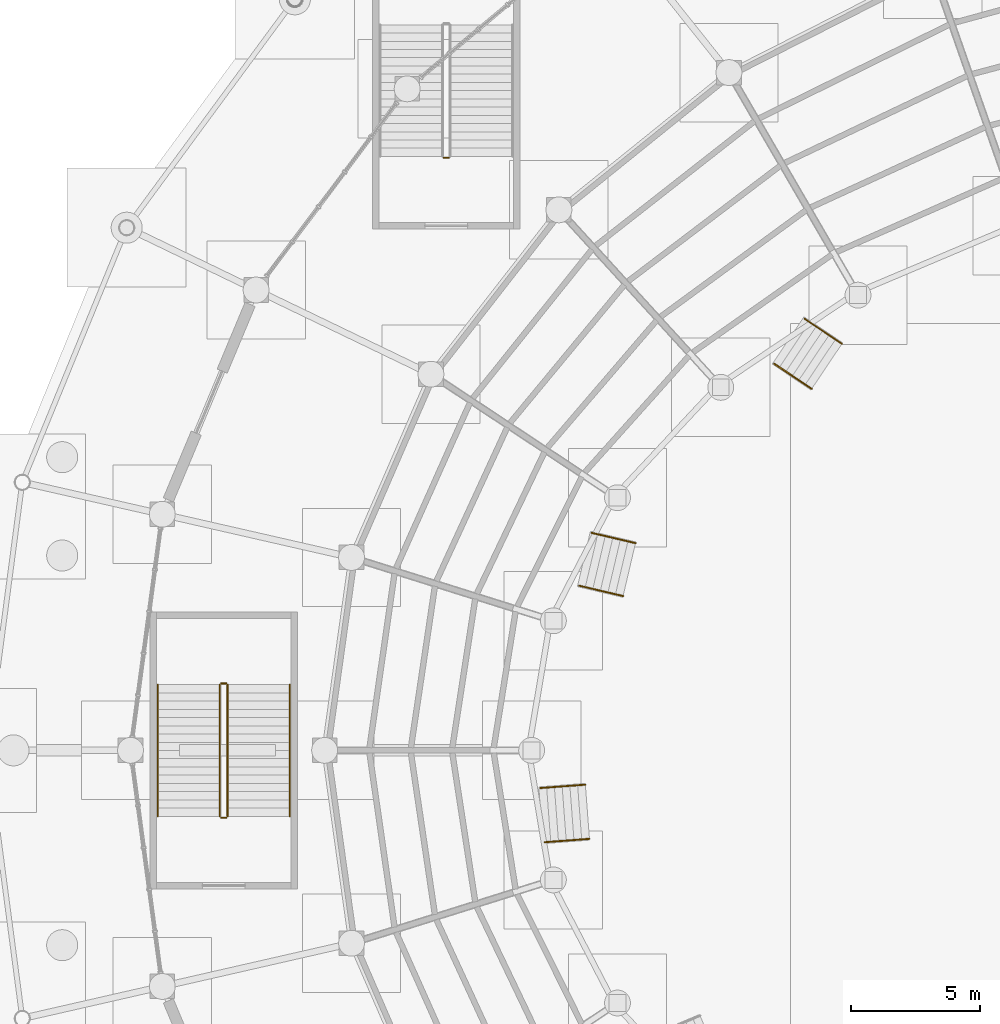
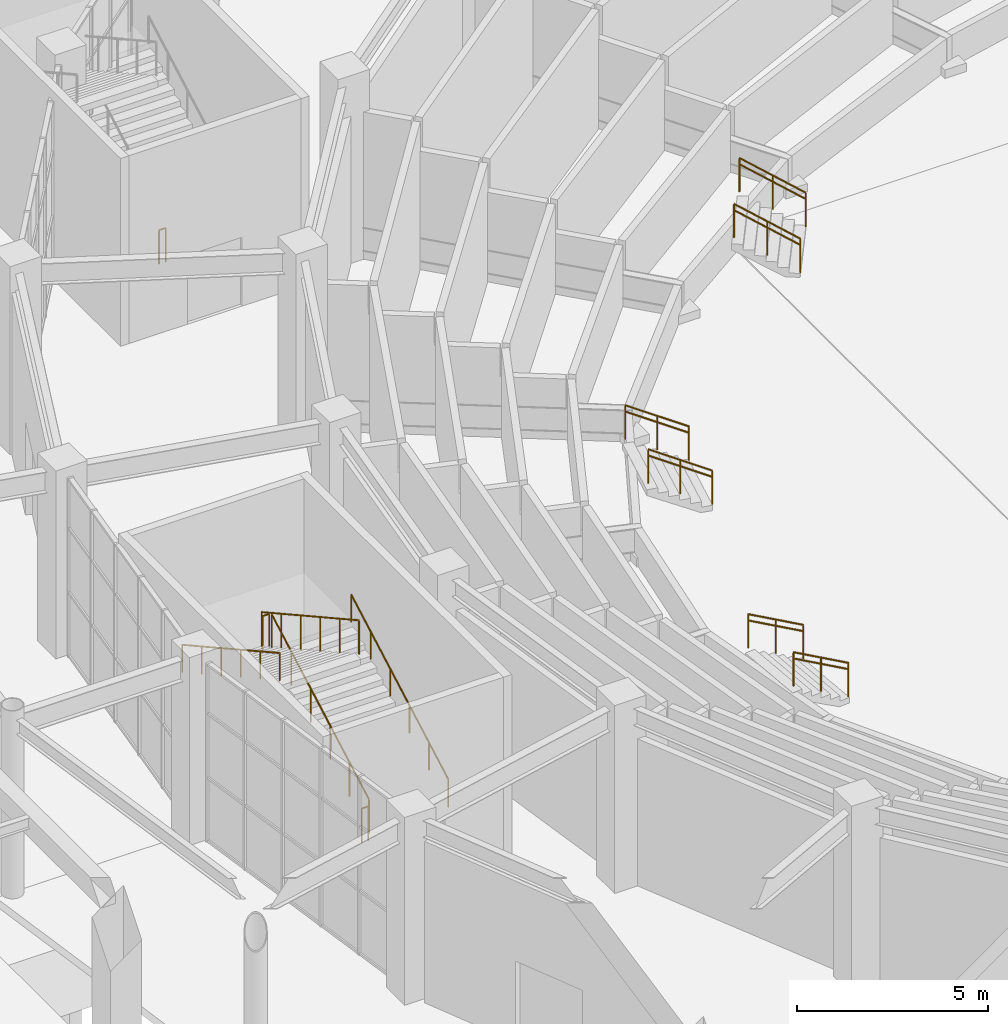
# One storey, part 109 of 121: 19 railings.
"""IFC4 building model written with IfcOpenShell, lengths in metres."""

from ifc_helpers import new_model, si_unit, direction, frame, origin, origin_2d, place, context, subcontext, project, spatial, circle, extrude, material, type_object, element, save


model = new_model("IFC4")

# Units and contexts
model_context = context("Model", 3, precision=1e-05, world=origin(), true_north=direction((0.0, 1.0)))
body_context = subcontext(model_context, "Body", "Model", "MODEL_VIEW")
ifc_project = project(units=[si_unit("LENGTHUNIT", "METRE"), si_unit("AREAUNIT", "SQUARE_METRE"), si_unit("VOLUMEUNIT", "CUBIC_METRE"), si_unit("PLANEANGLEUNIT", "RADIAN"), si_unit("MASSUNIT", "GRAM", prefix="KILO")], contexts=[model_context])

# Site, building, storey
site_placement = place(None, origin())
site = spatial("IfcSite", under=ifc_project, at=site_placement, CompositionType="ELEMENT")
building_placement = place(site_placement, origin())
building = spatial("IfcBuilding", under=site, at=building_placement, Name="Cuetzalor Civic Arena", CompositionType="ELEMENT")
storey_placement = place(building_placement, origin())
storey = spatial("IfcBuildingStorey", under=building, at=storey_placement, Name="L00", CompositionType="ELEMENT", Elevation=0.0)

# Railings
ifc_material_1 = material(Name="Reseda-green Steel S355 and laminated glass guard", Category="steel")
railing_type_1 = type_object("IfcRailingType", Name="BowlSightlineGuard_1100", PredefinedType="BALUSTRADE", material=ifc_material_1)
for number, where, name in (
    (1, (-22.68017578125, 13.968017578125, 0.17138671875), "Vomitory Stair VST-06 Guard L"),
    (2, (-21.50927734375, 15.711181640625, 0.17138671875), "Vomitory Stair VST-06 Guard R"),
):
    element("IfcRailing", number, at=place(storey_placement, frame(where)), inside=storey, type_object=railing_type_1, Name=name, PredefinedType="BALUSTRADE", context=body_context, shape_type="SweptSolid", body=[
        extrude(circle(Radius=0.02392578125, at=origin_2d()), frame((0.0, 0.0, 1.076171875), z_axis=(-0.714582912887, 0.480012254194, 0.50888063083), x_axis=(-0.55761102439, -0.830102370481, 0.0)), (0.0, 0.0, 1.0), 2.021240234375),
        extrude(circle(Radius=0.02099609375, at=origin_2d()), origin(), (0.0, 0.0, 1.0), 1.052001953125),
        extrude(circle(Radius=0.02099609375, at=origin_2d()), frame((-0.72216796875, 0.485107421875, 0.51416015625)), (0.0, 0.0, 1.0), 1.052001953125),
        extrude(circle(Radius=0.02099609375, at=origin_2d()), frame((-1.4443359375, 0.97021484375, 1.028564453125)), (0.0, 0.0, 1.0), 1.052001953125),
    ])
railing_1_placement = place(storey_placement, frame((-29.967529296875, 5.96435546875, 0.17138671875)))
element("IfcRailing", 3, at=railing_1_placement, inside=storey, type_object=railing_type_1, Name="Vomitory Stair VST-07 Guard L", PredefinedType="BALUSTRADE", context=body_context, shape_type="SweptSolid", body=[
    extrude(circle(Radius=0.02392578125, at=origin_2d()), frame((0.0, 0.0, 1.076171875), z_axis=(-0.838058208316, 0.196863363533, 0.508825368444), x_axis=(-0.228679612853, -0.973501738399, 0.0)), (0.0, 0.0, 1.0), 2.021484375),
    extrude(circle(Radius=0.02099609375, at=origin_2d()), origin(), (0.0, 0.0, 1.0), 1.052001953125),
    extrude(circle(Radius=0.02099609375, at=origin_2d()), frame((-0.84716796875, 0.198974609375, 0.51416015625)), (0.0, 0.0, 1.0), 1.052001953125),
    extrude(circle(Radius=0.02099609375, at=origin_2d()), frame((-1.694091796875, 0.39794921875, 1.028564453125)), (0.0, 0.0, 1.0), 1.052001953125),
])
railing_2_placement = place(storey_placement, frame((-29.4873046875, 8.0087890625, 0.17138671875)))
element("IfcRailing", 4, at=railing_2_placement, inside=storey, type_object=railing_type_1, Name="Vomitory Stair VST-07 Guard R", PredefinedType="BALUSTRADE", context=body_context, shape_type="SweptSolid", body=[
    extrude(circle(Radius=0.02392578125, at=origin_2d()), frame((0.0, 0.0, 1.076171875), z_axis=(-0.838022253139, 0.196883290951, 0.508876874095), x_axis=(-0.228710849306, -0.973494400297, 0.0)), (0.0, 0.0, 1.0), 2.021240234375),
    extrude(circle(Radius=0.02099609375, at=origin_2d()), origin(), (0.0, 0.0, 1.0), 1.052001953125),
    extrude(circle(Radius=0.02099609375, at=origin_2d()), frame((-0.846923828125, 0.198974609375, 0.51416015625)), (0.0, 0.0, 1.0), 1.052001953125),
    extrude(circle(Radius=0.02099609375, at=origin_2d()), frame((-1.69384765625, 0.39794921875, 1.028564453125)), (0.0, 0.0, 1.0), 1.052001953125),
])
for number, where, name in (
    (5, (-31.265869140625, -3.419189453125, 0.17138671875), "Vomitory Stair VST-08 Guard L"),
    (6, (-31.42431640625, -1.3251953125, 0.17138671875), "Vomitory Stair VST-08 Guard R"),
):
    element("IfcRailing", number, at=place(storey_placement, frame(where)), inside=storey, type_object=railing_type_1, Name=name, PredefinedType="BALUSTRADE", context=body_context, shape_type="SweptSolid", body=[
        extrude(circle(Radius=0.02392578125, at=origin_2d()), frame((0.0, 0.0, 1.076171875), z_axis=(-0.858371745723, -0.06486710209, 0.508910802805), x_axis=(0.075355077729, -0.997156764135, 0.0)), (0.0, 0.0, 1.0), 2.02099609375),
        extrude(circle(Radius=0.02099609375, at=origin_2d()), origin(), (0.0, 0.0, 1.0), 1.052001953125),
        extrude(circle(Radius=0.02099609375, at=origin_2d()), frame((-0.867431640625, -0.0654296875, 0.51416015625)), (0.0, 0.0, 1.0), 1.052001953125),
        extrude(circle(Radius=0.02099609375, at=origin_2d()), frame((-1.73486328125, -0.131103515625, 1.028564453125)), (0.0, 0.0, 1.0), 1.052001953125),
    ])
ifc_material_2 = material(Name="Reseda-green architectural Steel S355 balustrade", Category="steel")
railing_type_2 = type_object("IfcRailingType", Name="InteriorVoidBalustrade_1100", PredefinedType="BALUSTRADE", material=ifc_material_2)
railing_3_placement = place(storey_placement, frame((-36.699951171875, 22.89990234375, 0.0)))
element("IfcRailing", 7, at=railing_3_placement, inside=storey, type_object=railing_type_2, Name="L00 ST-04 stair guard 4", PredefinedType="BALUSTRADE", context=body_context, shape_type="SweptSolid", body=[
    extrude(circle(Radius=0.02392578125, at=origin_2d()), frame((0.0, 0.0, 1.0810546875), z_axis=(-1.0, 0.0, 0.0), x_axis=(0.0, -1.0, 0.0)), (0.0, 0.0, 1.0), 0.199951171875),
    extrude(circle(Radius=0.02099609375, at=origin_2d()), origin(), (0.0, 0.0, 1.0), 1.056884765625),
    extrude(circle(Radius=0.02099609375, at=origin_2d()), frame((-0.199951171875, 0.0, 0.0)), (0.0, 0.0, 1.0), 1.056884765625),
])
railing_4_placement = place(storey_placement, frame((-45.25, -2.550048828125, 0.176513671875)))
element("IfcRailing", 8, at=railing_4_placement, inside=storey, type_object=railing_type_2, Name="L00 ST-05 stair guard 1", PredefinedType="BALUSTRADE", context=body_context, shape_type="SweptSolid", body=[
    extrude(circle(Radius=0.02392578125, at=origin_2d()), frame((0.0, 0.0, 1.0810546875), z_axis=(0.0, 0.874394655587, 0.485215401941), x_axis=(-1.0, 0.0, 0.0)), (0.0, 0.0, 1.0), 5.819091796875),
    extrude(circle(Radius=0.02099609375, at=origin_2d()), origin(), (0.0, 0.0, 1.0), 1.056884765625),
    extrude(circle(Radius=0.02099609375, at=origin_2d()), frame((0.0, 1.017578125, 0.564697265625)), (0.0, 0.0, 1.0), 1.056884765625),
    extrude(circle(Radius=0.02099609375, at=origin_2d()), frame((0.0, 2.03515625, 1.12939453125)), (0.0, 0.0, 1.0), 1.056884765625),
    extrude(circle(Radius=0.02099609375, at=origin_2d()), frame((0.0, 3.052978515625, 1.694091796875)), (0.0, 0.0, 1.0), 1.056884765625),
    extrude(circle(Radius=0.02099609375, at=origin_2d()), frame((0.0, 4.070556640625, 2.2587890625)), (0.0, 0.0, 1.0), 1.056884765625),
    extrude(circle(Radius=0.02099609375, at=origin_2d()), frame((0.0, 5.088134765625, 2.823486328125)), (0.0, 0.0, 1.0), 1.056884765625),
])
railing_5_placement = place(storey_placement, frame((-45.300048828125, 2.587890625, 3.0)))
element("IfcRailing", 9, at=railing_5_placement, inside=storey, type_object=railing_type_2, Name="L00 ST-05 stair guard 2", PredefinedType="BALUSTRADE", context=body_context, shape_type="SweptSolid", body=[
    extrude(circle(Radius=0.02392578125, at=origin_2d()), frame((0.0, 0.0, 1.0810546875), z_axis=(-1.0, 0.0, 0.0), x_axis=(0.0, -1.0, 0.0)), (0.0, 0.0, 1.0), 0.199951171875),
    extrude(circle(Radius=0.02099609375, at=origin_2d()), origin(), (0.0, 0.0, 1.0), 1.056884765625),
    extrude(circle(Radius=0.02099609375, at=origin_2d()), frame((-0.199951171875, 0.0, 0.0)), (0.0, 0.0, 1.0), 1.056884765625),
])
railing_6_placement = place(storey_placement, frame((-45.550048828125, 2.5380859375, 3.176513671875)))
element("IfcRailing", 10, at=railing_6_placement, inside=storey, type_object=railing_type_2, Name="L00 ST-05 stair guard 3", PredefinedType="BALUSTRADE", context=body_context, shape_type="SweptSolid", body=[
    extrude(circle(Radius=0.02392578125, at=origin_2d()), frame((0.0, 0.0, 1.0810546875), z_axis=(0.0, -0.874394655587, 0.485215401941), x_axis=(1.0, 0.0, 0.0)), (0.0, 0.0, 1.0), 5.819091796875),
    extrude(circle(Radius=0.02099609375, at=origin_2d()), origin(), (0.0, 0.0, 1.0), 1.056884765625),
    extrude(circle(Radius=0.02099609375, at=origin_2d()), frame((0.0, -1.017578125, 0.564697265625)), (0.0, 0.0, 1.0), 1.056884765625),
    extrude(circle(Radius=0.02099609375, at=origin_2d()), frame((0.0, -2.03515625, 1.12939453125)), (0.0, 0.0, 1.0), 1.056884765625),
    extrude(circle(Radius=0.02099609375, at=origin_2d()), frame((0.0, -3.052978515625, 1.694091796875)), (0.0, 0.0, 1.0), 1.056884765625),
    extrude(circle(Radius=0.02099609375, at=origin_2d()), frame((0.0, -4.070556640625, 2.2587890625)), (0.0, 0.0, 1.0), 1.056884765625),
    extrude(circle(Radius=0.02099609375, at=origin_2d()), frame((0.0, -5.088134765625, 2.823486328125)), (0.0, 0.0, 1.0), 1.056884765625),
])
railing_7_placement = place(storey_placement, frame((-45.300048828125, -2.60009765625, 0.0)))
element("IfcRailing", 11, at=railing_7_placement, inside=storey, type_object=railing_type_2, Name="L00 ST-05 stair guard 4", PredefinedType="BALUSTRADE", context=body_context, shape_type="SweptSolid", body=[
    extrude(circle(Radius=0.02392578125, at=origin_2d()), frame((0.0, 0.0, 1.0810546875), z_axis=(-1.0, 0.0, 0.0), x_axis=(0.0, -1.0, 0.0)), (0.0, 0.0, 1.0), 0.199951171875),
    extrude(circle(Radius=0.02099609375, at=origin_2d()), origin(), (0.0, 0.0, 1.0), 1.056884765625),
    extrude(circle(Radius=0.02099609375, at=origin_2d()), frame((-0.199951171875, 0.0, 0.0)), (0.0, 0.0, 1.0), 1.056884765625),
])
ifc_material_3 = material(Name="Galvanised steel S355", Category="steel")
railing_type_3 = type_object("IfcRailingType", Name="StairPitchHandrail_900", PredefinedType="HANDRAIL", material=ifc_material_3)
railing_8_placement = place(storey_placement, frame((-42.85009765625, -2.550048828125, 0.176513671875)))
element("IfcRailing", 12, at=railing_8_placement, inside=storey, type_object=railing_type_3, Name="L00 ST-05 stair handrail 1", PredefinedType="HANDRAIL", context=body_context, shape_type="SweptSolid", body=[
    extrude(circle(Radius=0.02392578125, at=origin_2d()), frame((0.0, 0.0, 0.8759765625), z_axis=(0.0, 0.874394655587, 0.485215401941), x_axis=(-1.0, 0.0, 0.0)), (0.0, 0.0, 1.0), 5.819091796875),
    extrude(circle(Radius=0.02099609375, at=origin_2d()), origin(), (0.0, 0.0, 1.0), 0.851806640625),
    extrude(circle(Radius=0.02099609375, at=origin_2d()), frame((0.0, 1.017578125, 0.564697265625)), (0.0, 0.0, 1.0), 0.851806640625),
    extrude(circle(Radius=0.02099609375, at=origin_2d()), frame((0.0, 2.03515625, 1.12939453125)), (0.0, 0.0, 1.0), 0.851806640625),
    extrude(circle(Radius=0.02099609375, at=origin_2d()), frame((0.0, 3.052978515625, 1.694091796875)), (0.0, 0.0, 1.0), 0.851806640625),
    extrude(circle(Radius=0.02099609375, at=origin_2d()), frame((0.0, 4.070556640625, 2.2587890625)), (0.0, 0.0, 1.0), 0.851806640625),
    extrude(circle(Radius=0.02099609375, at=origin_2d()), frame((0.0, 5.088134765625, 2.823486328125)), (0.0, 0.0, 1.0), 0.851806640625),
])
railing_9_placement = place(storey_placement, frame((-47.949951171875, 2.5380859375, 3.176513671875)))
element("IfcRailing", 13, at=railing_9_placement, inside=storey, type_object=railing_type_3, Name="L00 ST-05 stair handrail 2", PredefinedType="HANDRAIL", context=body_context, shape_type="SweptSolid", body=[
    extrude(circle(Radius=0.02392578125, at=origin_2d()), frame((0.0, 0.0, 0.8759765625), z_axis=(0.0, -0.874394655587, 0.485215401941), x_axis=(1.0, 0.0, 0.0)), (0.0, 0.0, 1.0), 5.819091796875),
    extrude(circle(Radius=0.02099609375, at=origin_2d()), origin(), (0.0, 0.0, 1.0), 0.851806640625),
    extrude(circle(Radius=0.02099609375, at=origin_2d()), frame((0.0, -1.017578125, 0.564697265625)), (0.0, 0.0, 1.0), 0.851806640625),
    extrude(circle(Radius=0.02099609375, at=origin_2d()), frame((0.0, -2.03515625, 1.12939453125)), (0.0, 0.0, 1.0), 0.851806640625),
    extrude(circle(Radius=0.02099609375, at=origin_2d()), frame((0.0, -3.052978515625, 1.694091796875)), (0.0, 0.0, 1.0), 0.851806640625),
    extrude(circle(Radius=0.02099609375, at=origin_2d()), frame((0.0, -4.070556640625, 2.2587890625)), (0.0, 0.0, 1.0), 0.851806640625),
    extrude(circle(Radius=0.02099609375, at=origin_2d()), frame((0.0, -5.088134765625, 2.823486328125)), (0.0, 0.0, 1.0), 0.851806640625),
])
for number, where, name in (
    (14, (-22.68017578125, 13.968017578125, 0.17138671875), "Vomitory Stair VST-06 Handrail L"),
    (15, (-21.50927734375, 15.711181640625, 0.17138671875), "Vomitory Stair VST-06 Handrail R"),
):
    element("IfcRailing", number, at=place(storey_placement, frame(where)), inside=storey, type_object=railing_type_3, Name=name, PredefinedType="HANDRAIL", context=body_context, shape_type="SweptSolid", body=[
        extrude(circle(Radius=0.02392578125, at=origin_2d()), frame((0.0, 0.0, 0.8759765625), z_axis=(-0.714582912887, 0.480012254194, 0.50888063083), x_axis=(-0.55761102439, -0.830102370481, 0.0)), (0.0, 0.0, 1.0), 2.021240234375),
        extrude(circle(Radius=0.02099609375, at=origin_2d()), origin(), (0.0, 0.0, 1.0), 0.851806640625),
        extrude(circle(Radius=0.02099609375, at=origin_2d()), frame((-0.72216796875, 0.485107421875, 0.51416015625)), (0.0, 0.0, 1.0), 0.851806640625),
        extrude(circle(Radius=0.02099609375, at=origin_2d()), frame((-1.4443359375, 0.97021484375, 1.028564453125)), (0.0, 0.0, 1.0), 0.851806640625),
    ])
railing_10_placement = place(storey_placement, frame((-29.967529296875, 5.96435546875, 0.17138671875)))
element("IfcRailing", 16, at=railing_10_placement, inside=storey, type_object=railing_type_3, Name="Vomitory Stair VST-07 Handrail L", PredefinedType="HANDRAIL", context=body_context, shape_type="SweptSolid", body=[
    extrude(circle(Radius=0.02392578125, at=origin_2d()), frame((0.0, 0.0, 0.8759765625), z_axis=(-0.838058208316, 0.196863363533, 0.508825368444), x_axis=(-0.228679612853, -0.973501738399, 0.0)), (0.0, 0.0, 1.0), 2.021484375),
    extrude(circle(Radius=0.02099609375, at=origin_2d()), origin(), (0.0, 0.0, 1.0), 0.851806640625),
    extrude(circle(Radius=0.02099609375, at=origin_2d()), frame((-0.84716796875, 0.198974609375, 0.51416015625)), (0.0, 0.0, 1.0), 0.851806640625),
    extrude(circle(Radius=0.02099609375, at=origin_2d()), frame((-1.694091796875, 0.39794921875, 1.028564453125)), (0.0, 0.0, 1.0), 0.851806640625),
])
railing_11_placement = place(storey_placement, frame((-29.4873046875, 8.0087890625, 0.17138671875)))
element("IfcRailing", 17, at=railing_11_placement, inside=storey, type_object=railing_type_3, Name="Vomitory Stair VST-07 Handrail R", PredefinedType="HANDRAIL", context=body_context, shape_type="SweptSolid", body=[
    extrude(circle(Radius=0.02392578125, at=origin_2d()), frame((0.0, 0.0, 0.8759765625), z_axis=(-0.838022253139, 0.196883290951, 0.508876874095), x_axis=(-0.228710849306, -0.973494400297, 0.0)), (0.0, 0.0, 1.0), 2.021240234375),
    extrude(circle(Radius=0.02099609375, at=origin_2d()), origin(), (0.0, 0.0, 1.0), 0.851806640625),
    extrude(circle(Radius=0.02099609375, at=origin_2d()), frame((-0.846923828125, 0.198974609375, 0.51416015625)), (0.0, 0.0, 1.0), 0.851806640625),
    extrude(circle(Radius=0.02099609375, at=origin_2d()), frame((-1.69384765625, 0.39794921875, 1.028564453125)), (0.0, 0.0, 1.0), 0.851806640625),
])
for number, where, name in (
    (18, (-31.265869140625, -3.419189453125, 0.17138671875), "Vomitory Stair VST-08 Handrail L"),
    (19, (-31.42431640625, -1.3251953125, 0.17138671875), "Vomitory Stair VST-08 Handrail R"),
):
    element("IfcRailing", number, at=place(storey_placement, frame(where)), inside=storey, type_object=railing_type_3, Name=name, PredefinedType="HANDRAIL", context=body_context, shape_type="SweptSolid", body=[
        extrude(circle(Radius=0.02392578125, at=origin_2d()), frame((0.0, 0.0, 0.8759765625), z_axis=(-0.858371745723, -0.06486710209, 0.508910802805), x_axis=(0.075355077729, -0.997156764135, 0.0)), (0.0, 0.0, 1.0), 2.02099609375),
        extrude(circle(Radius=0.02099609375, at=origin_2d()), origin(), (0.0, 0.0, 1.0), 0.851806640625),
        extrude(circle(Radius=0.02099609375, at=origin_2d()), frame((-0.867431640625, -0.0654296875, 0.51416015625)), (0.0, 0.0, 1.0), 0.851806640625),
        extrude(circle(Radius=0.02099609375, at=origin_2d()), frame((-1.73486328125, -0.131103515625, 1.028564453125)), (0.0, 0.0, 1.0), 0.851806640625),
    ])

save(model, "model.ifc")
